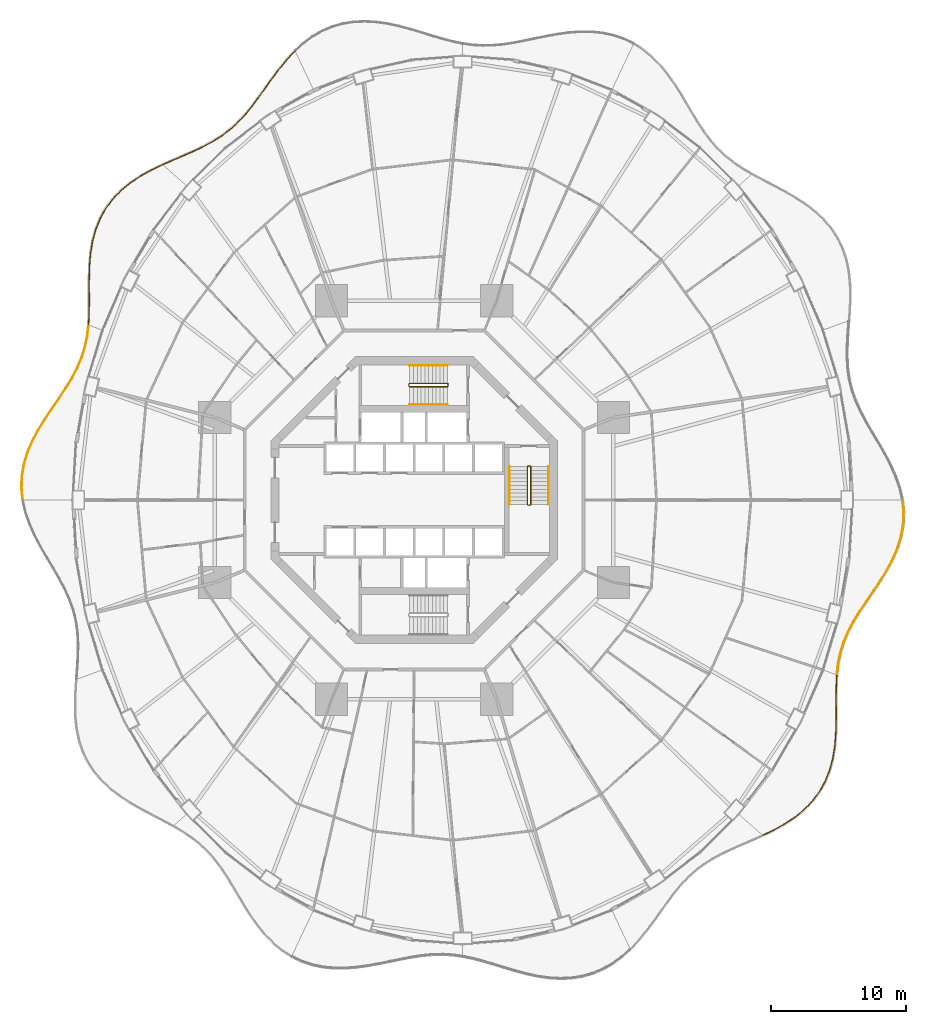
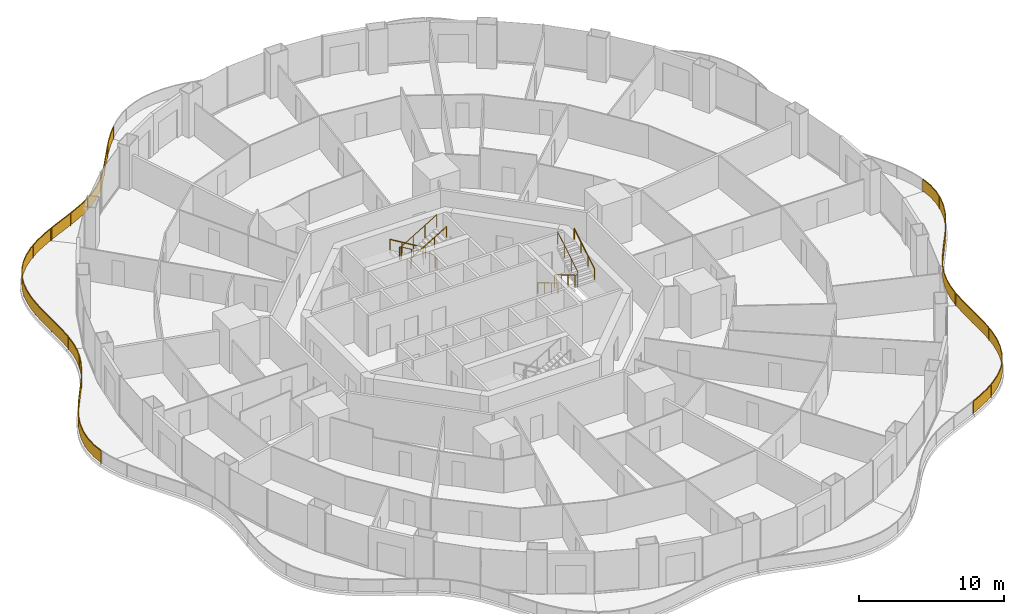
# One storey, part 22 of 23: 11 railings.
"""IFC4 building model written with IfcOpenShell, lengths in metres."""

from ifc_helpers import new_model, si_unit, direction, frame, origin, origin_2d, place, context, subcontext, project, spatial, polyline, rectangle, circle, outline, extrude, material, type_object, element, save


model = new_model("IFC4")

# Units and contexts
model_context = context("Model", 3, precision=1e-05, world=origin(), true_north=direction((0.0, 1.0)))
body_context = subcontext(model_context, "Body", "Model", "MODEL_VIEW")
ifc_project = project(units=[si_unit("LENGTHUNIT", "METRE"), si_unit("AREAUNIT", "SQUARE_METRE"), si_unit("VOLUMEUNIT", "CUBIC_METRE"), si_unit("PLANEANGLEUNIT", "RADIAN"), si_unit("MASSUNIT", "GRAM", prefix="KILO")], contexts=[model_context])

# Site, building, storey
site_placement = place(None, origin())
site = spatial("IfcSite", under=ifc_project, at=site_placement, CompositionType="ELEMENT")
building_placement = place(site_placement, origin())
building = spatial("IfcBuilding", under=site, at=building_placement, Name="Nagisa Residences", CompositionType="ELEMENT")
storey_placement = place(building_placement, frame((0.0, 0.0, 56.60009765625)))
storey = spatial("IfcBuildingStorey", under=building, at=storey_placement, Name="L13", CompositionType="ELEMENT", Elevation=56.60009765625)

# Railings
ifc_material_1 = material(Name="Stainless steel 316", Category="steel")
railing_type_1 = type_object("IfcRailingType", Name="BALCONY GUARD 1100", PredefinedType="BALUSTRADE", material=ifc_material_1)
railing_1_placement = place(storey_placement, frame((-8.8525390625, 33.278076171875, 0.0)))
element("IfcRailing", 1, at=railing_1_placement, inside=storey, type_object=railing_type_1, Name="guard:L13:bal05-0", PredefinedType="BALUSTRADE", context=body_context, shape_type="SweptSolid", body=[
    extrude(outline(polyline([(-0.55419921875, -0.62841796875), (0.018310546875, -0.01708984375), (-0.018310546875, 0.01708984375), (-0.591796875, -0.59521484375), (-1.158203125, -1.281494140625), (-1.6904296875, -1.988525390625), (-2.197998046875, -2.69775390625), (-2.693603515625, -3.3916015625), (-3.175048828125, -4.04541015625), (-3.6826171875, -4.66650390625), (-4.214111328125, -5.237548828125), (-4.779052734375, -5.75537109375), (-5.384521484375, -6.221435546875), (-6.0224609375, -6.629638671875), (-6.71728515625, -7.009521484375), (-7.452880859375, -7.3623046875), (-8.22216796875, -7.70068359375), (-9.013916015625, -8.03955078125), (-9.77294921875, -8.372314453125), (-9.7529296875, -8.418212890625), (-8.993896484375, -8.08544921875), (-8.2021484375, -7.74658203125), (-7.431884765625, -7.40771484375), (-6.6943359375, -7.053955078125), (-5.9970703125, -6.672607421875), (-5.355712890625, -6.262451171875), (-4.746826171875, -5.7939453125), (-4.178955078125, -5.273193359375), (-3.64501953125, -4.69921875), (-3.135498046875, -4.076171875), (-2.653076171875, -3.4208984375), (-2.157470703125, -2.72705078125), (-1.64990234375, -2.018310546875), (-1.11865234375, -1.312255859375), (-0.55419921875, -0.62841796875)])), frame((0.0, 0.0, 1.050048828125)), (0.0, 0.0, 1.0), 0.050048828125),
    extrude(outline(polyline([(-0.567626953125, -0.616455078125), (0.005126953125, -0.0048828125), (-0.005126953125, 0.0048828125), (-0.578369140625, -0.607177734375), (-1.14404296875, -1.29248046875), (-1.67578125, -1.999267578125), (-2.183349609375, -2.708251953125), (-2.678955078125, -3.402099609375), (-3.160888671875, -4.056396484375), (-3.669189453125, -4.67822265625), (-4.201416015625, -5.25048828125), (-4.767333984375, -5.769287109375), (-5.3740234375, -6.236328125), (-6.013427734375, -6.64501953125), (-6.708984375, -7.025390625), (-7.4453125, -7.378662109375), (-8.21484375, -7.71728515625), (-9.006591796875, -8.05615234375), (-9.765869140625, -8.388916015625), (-9.760009765625, -8.401611328125), (-9.001220703125, -8.06884765625), (-8.20947265625, -7.72998046875), (-7.439453125, -7.391357421875), (-6.70263671875, -7.0380859375), (-6.006103515625, -6.6572265625), (-5.3662109375, -6.24755859375), (-4.758544921875, -5.780029296875), (-4.191650390625, -5.26025390625), (-3.658447265625, -4.6875), (-3.149658203125, -4.065185546875), (-2.667724609375, -3.410400390625), (-2.172119140625, -2.716552734375), (-1.66455078125, -2.007568359375), (-1.1328125, -1.30126953125), (-0.567626953125, -0.616455078125)])), frame((0.0, 0.0, 0.06005859375)), (0.0, 0.0, 1.0), 0.989990234375),
    extrude(rectangle(XDim=0.0400390625, YDim=0.0400390625, at=origin_2d()), origin(), (0.0, 0.0, 1.0), 1.050048828125),
    extrude(rectangle(XDim=0.0400390625, YDim=0.0400390625, at=origin_2d()), frame((-1.419921875, -1.671142578125, 0.0)), (0.0, 0.0, 1.0), 1.050048828125),
    extrude(rectangle(XDim=0.0400390625, YDim=0.0400390625, at=origin_2d()), frame((-2.70556640625, -3.449951171875, 0.0)), (0.0, 0.0, 1.0), 1.050048828125),
    extrude(rectangle(XDim=0.0400390625, YDim=0.0400390625, at=origin_2d()), frame((-4.0947265625, -5.14599609375, 0.0)), (0.0, 0.0, 1.0), 1.050048828125),
    extrude(rectangle(XDim=0.0400390625, YDim=0.0400390625, at=origin_2d()), frame((-5.800537109375, -6.517333984375, 0.0)), (0.0, 0.0, 1.0), 1.050048828125),
    extrude(rectangle(XDim=0.0400390625, YDim=0.0400390625, at=origin_2d()), frame((-7.75, -7.520263671875, 0.0)), (0.0, 0.0, 1.0), 1.050048828125),
    extrude(rectangle(XDim=0.0400390625, YDim=0.0400390625, at=origin_2d()), frame((-9.762939453125, -8.395263671875, 0.0)), (0.0, 0.0, 1.0), 1.050048828125),
])
railing_2_placement = place(storey_placement, frame((-18.685791015625, 24.851806640625, 0.0)))
element("IfcRailing", 2, at=railing_2_placement, inside=storey, type_object=railing_type_1, Name="guard:L13:bal06-0", PredefinedType="BALUSTRADE", context=body_context, shape_type="SweptSolid", body=[
    extrude(outline(polyline([(-0.779541015625, -0.401611328125), (0.0107421875, -0.0224609375), (-0.0107421875, 0.0224609375), (-0.802490234375, -0.357177734375), (-1.607421875, -0.804443359375), (-2.36572265625, -1.308349609375), (-3.0595703125, -1.875732421875), (-3.674072265625, -2.51025390625), (-4.18994140625, -3.19970703125), (-4.61669921875, -3.96337890625), (-4.945068359375, -4.781005859375), (-5.18017578125, -5.642578125), (-5.331298828125, -6.535888671875), (-5.40673828125, -7.434814453125), (-5.438232421875, -8.3525390625), (-5.440185546875, -9.264892578125), (-5.434814453125, -10.16162109375), (-5.44384765625, -11.03515625), (-5.484619140625, -11.838623046875), (-5.434814453125, -11.841064453125), (-5.39404296875, -11.03662109375), (-5.384521484375, -10.16162109375), (-5.389892578125, -9.264892578125), (-5.388427734375, -8.353515625), (-5.35693359375, -7.437744140625), (-5.281494140625, -6.542236328125), (-5.13134765625, -5.6533203125), (-4.897705078125, -4.797119140625), (-4.5712890625, -3.98486328125), (-4.14794921875, -3.22705078125), (-3.635986328125, -2.54296875), (-3.02587890625, -1.912841796875), (-2.3359375, -1.348876953125), (-1.58154296875, -0.847412109375), (-0.779541015625, -0.401611328125)])), frame((0.0, 0.0, 1.050048828125)), (0.0, 0.0, 1.0), 0.050048828125),
    extrude(outline(polyline([(-0.787841796875, -0.385498046875), (0.0029296875, -0.00634765625), (-0.0029296875, 0.00634765625), (-0.794189453125, -0.373291015625), (-1.59814453125, -0.81982421875), (-2.35498046875, -1.322998046875), (-3.04736328125, -1.88916015625), (-3.660400390625, -2.52197265625), (-4.1748046875, -3.20947265625), (-4.600341796875, -3.97119140625), (-4.927978515625, -4.786865234375), (-5.16259765625, -5.646484375), (-5.313232421875, -6.5380859375), (-5.388916015625, -7.435791015625), (-5.42041015625, -8.352783203125), (-5.422119140625, -9.264892578125), (-5.416748046875, -10.16162109375), (-5.426025390625, -11.03564453125), (-5.466796875, -11.839599609375), (-5.45263671875, -11.840087890625), (-5.411865234375, -11.0361328125), (-5.402587890625, -10.16162109375), (-5.407958984375, -9.264892578125), (-5.40625, -8.353271484375), (-5.374755859375, -7.436767578125), (-5.299560546875, -6.5400390625), (-5.14892578125, -5.6494140625), (-4.914794921875, -4.791259765625), (-4.587646484375, -3.97705078125), (-4.1630859375, -3.21728515625), (-3.649658203125, -2.53125), (-3.0380859375, -1.8994140625), (-2.3466796875, -1.334228515625), (-1.5908203125, -0.83203125), (-0.787841796875, -0.385498046875)])), frame((0.0, 0.0, 0.06005859375)), (0.0, 0.0, 1.0), 0.989990234375),
    extrude(rectangle(XDim=0.0400390625, YDim=0.0400390625, at=origin_2d()), origin(), (0.0, 0.0, 1.0), 1.050048828125),
    extrude(rectangle(XDim=0.0400390625, YDim=0.0400390625, at=origin_2d()), frame((-2.0673828125, -1.14013671875, 0.0)), (0.0, 0.0, 1.0), 1.050048828125),
    extrude(rectangle(XDim=0.0400390625, YDim=0.0400390625, at=origin_2d()), frame((-3.8046875, -2.726806640625, 0.0)), (0.0, 0.0, 1.0), 1.050048828125),
    extrude(rectangle(XDim=0.0400390625, YDim=0.0400390625, at=origin_2d()), frame((-4.923095703125, -4.795654296875, 0.0)), (0.0, 0.0, 1.0), 1.050048828125),
    extrude(rectangle(XDim=0.0400390625, YDim=0.0400390625, at=origin_2d()), frame((-5.354736328125, -7.114013671875, 0.0)), (0.0, 0.0, 1.0), 1.050048828125),
    extrude(rectangle(XDim=0.0400390625, YDim=0.0400390625, at=origin_2d()), frame((-5.413818359375, -9.4765625, 0.0)), (0.0, 0.0, 1.0), 1.050048828125),
    extrude(rectangle(XDim=0.0400390625, YDim=0.0400390625, at=origin_2d()), frame((-5.459716796875, -11.83984375, 0.0)), (0.0, 0.0, 1.0), 1.050048828125),
])
railing_3_placement = place(storey_placement, frame((-24.149658203125, 12.93994140625, 0.0)))
element("IfcRailing", 3, at=railing_3_placement, inside=storey, type_object=railing_type_1, Name="guard:L13:bal07-0", PredefinedType="BALUSTRADE", context=body_context, shape_type="SweptSolid", body=[
    extrude(outline(polyline([(-0.06982421875, -0.8046875), (0.02490234375, -0.0029296875), (-0.02490234375, 0.0029296875), (-0.119140625, -0.796875), (-0.2880859375, -1.607421875), (-0.53369140625, -2.39208984375), (-0.85791015625, -3.15673828125), (-1.2548828125, -3.9091796875), (-1.7099609375, -4.64453125), (-2.21240234375, -5.3984375), (-2.73681640625, -6.1640625), (-3.2578125, -6.947509765625), (-3.749755859375, -7.752685546875), (-4.184814453125, -8.567138671875), (-4.54345703125, -9.417236328125), (-4.80419921875, -10.28662109375), (-4.95361328125, -11.169677734375), (-4.984619140625, -12.06005859375), (-4.89990234375, -12.90380859375), (-4.85009765625, -12.89892578125), (-4.934326171875, -12.05859375), (-4.90380859375, -11.174560546875), (-4.75537109375, -10.2978515625), (-4.49609375, -9.434326171875), (-4.139404296875, -8.588623046875), (-3.706298828125, -7.777587890625), (-3.2158203125, -6.974365234375), (-2.6953125, -6.19189453125), (-2.1708984375, -5.42626953125), (-1.66796875, -4.67138671875), (-1.21142578125, -3.93408203125), (-0.8125, -3.17822265625), (-0.48681640625, -2.4091796875), (-0.23974609375, -1.6201171875), (-0.06982421875, -0.8046875)])), frame((0.0, 0.0, 1.050048828125)), (0.0, 0.0, 1.0), 0.050048828125),
    extrude(outline(polyline([(-0.087646484375, -0.802001953125), (0.0068359375, -0.000732421875), (-0.0068359375, 0.000732421875), (-0.101318359375, -0.799560546875), (-0.270751953125, -1.612060546875), (-0.516845703125, -2.398193359375), (-0.841552734375, -3.16455078125), (-1.2392578125, -3.918212890625), (-1.69482421875, -4.654296875), (-2.197509765625, -5.408447265625), (-2.721923828125, -6.174072265625), (-3.24267578125, -6.957275390625), (-3.734130859375, -7.76171875), (-4.16845703125, -8.574951171875), (-4.5263671875, -9.42333984375), (-4.78662109375, -10.29052734375), (-4.935791015625, -11.17138671875), (-4.966552734375, -12.0595703125), (-4.882080078125, -12.902099609375), (-4.867919921875, -12.900634765625), (-4.952392578125, -12.05908203125), (-4.921630859375, -11.1728515625), (-4.77294921875, -10.2939453125), (-4.51318359375, -9.42822265625), (-4.15576171875, -8.580810546875), (-3.721923828125, -7.7685546875), (-3.23095703125, -6.964599609375), (-2.710205078125, -6.181884765625), (-2.185791015625, -5.416259765625), (-1.68310546875, -4.66162109375), (-1.22705078125, -3.925048828125), (-0.828857421875, -3.17041015625), (-0.503662109375, -2.403076171875), (-0.257080078125, -1.615478515625), (-0.087646484375, -0.802001953125)])), frame((0.0, 0.0, 0.06005859375)), (0.0, 0.0, 1.0), 0.989990234375),
    extrude(rectangle(XDim=0.0400390625, YDim=0.0400390625, at=origin_2d()), origin(), (0.0, 0.0, 1.0), 1.050048828125),
    extrude(rectangle(XDim=0.0400390625, YDim=0.0400390625, at=origin_2d()), frame((-0.47705078125, -2.294921875, 0.0)), (0.0, 0.0, 1.0), 1.050048828125),
    extrude(rectangle(XDim=0.0400390625, YDim=0.0400390625, at=origin_2d()), frame((-1.524658203125, -4.392822265625, 0.0)), (0.0, 0.0, 1.0), 1.050048828125),
    extrude(rectangle(XDim=0.0400390625, YDim=0.0400390625, at=origin_2d()), frame((-2.8291015625, -6.347900390625, 0.0)), (0.0, 0.0, 1.0), 1.050048828125),
    extrude(rectangle(XDim=0.0400390625, YDim=0.0400390625, at=origin_2d()), frame((-4.04443359375, -8.357666015625, 0.0)), (0.0, 0.0, 1.0), 1.050048828125),
    extrude(rectangle(XDim=0.0400390625, YDim=0.0400390625, at=origin_2d()), frame((-4.825927734375, -10.564208984375, 0.0)), (0.0, 0.0, 1.0), 1.050048828125),
    extrude(rectangle(XDim=0.0400390625, YDim=0.0400390625, at=origin_2d()), frame((-4.875, -12.9013671875, 0.0)), (0.0, 0.0, 1.0), 1.050048828125),
])
railing_4_placement = place(storey_placement, frame((25.8857421875, -24.851806640625, 0.0)))
element("IfcRailing", 4, at=railing_4_placement, inside=storey, type_object=railing_type_1, Name="guard:L13:bal14-0", PredefinedType="BALUSTRADE", context=body_context, shape_type="SweptSolid", body=[
    extrude(outline(polyline([(0.77978515625, 0.401611328125), (-0.0107421875, 0.0224609375), (0.0107421875, -0.0224609375), (0.802734375, 0.357177734375), (1.607421875, 0.804443359375), (2.36572265625, 1.308349609375), (3.059814453125, 1.875732421875), (3.674072265625, 2.51025390625), (4.18994140625, 3.19970703125), (4.61669921875, 3.96337890625), (4.9453125, 4.781005859375), (5.18017578125, 5.642578125), (5.33154296875, 6.535888671875), (5.40673828125, 7.434814453125), (5.438232421875, 8.3525390625), (5.4404296875, 9.264892578125), (5.43505859375, 10.16162109375), (5.44384765625, 11.03515625), (5.48486328125, 11.838623046875), (5.43505859375, 11.841064453125), (5.39404296875, 11.03662109375), (5.384765625, 10.16162109375), (5.39013671875, 9.264892578125), (5.388427734375, 8.353515625), (5.35693359375, 7.437744140625), (5.28173828125, 6.542236328125), (5.13134765625, 5.6533203125), (4.89794921875, 4.797119140625), (4.5712890625, 3.98486328125), (4.14794921875, 3.22705078125), (3.635986328125, 2.54296875), (3.026123046875, 1.912841796875), (2.3359375, 1.348876953125), (1.58154296875, 0.847412109375), (0.77978515625, 0.401611328125)])), frame((0.0, 0.0, 1.050048828125)), (0.0, 0.0, 1.0), 0.050048828125),
    extrude(outline(polyline([(0.7880859375, 0.385498046875), (-0.0029296875, 0.00634765625), (0.0029296875, -0.00634765625), (0.79443359375, 0.373291015625), (1.59814453125, 0.81982421875), (2.35498046875, 1.322998046875), (3.047607421875, 1.88916015625), (3.660400390625, 2.52197265625), (4.1748046875, 3.20947265625), (4.600341796875, 3.97119140625), (4.92822265625, 4.786865234375), (5.16259765625, 5.646484375), (5.3134765625, 6.5380859375), (5.388916015625, 7.435791015625), (5.42041015625, 8.352783203125), (5.42236328125, 9.264892578125), (5.4169921875, 10.16162109375), (5.426025390625, 11.03564453125), (5.467041015625, 11.839599609375), (5.452880859375, 11.840087890625), (5.411865234375, 11.0361328125), (5.40283203125, 10.16162109375), (5.408203125, 9.264892578125), (5.40625, 8.353271484375), (5.374755859375, 7.436767578125), (5.2998046875, 6.5400390625), (5.14892578125, 5.6494140625), (4.9150390625, 4.791259765625), (4.587646484375, 3.97705078125), (4.1630859375, 3.21728515625), (3.649658203125, 2.53125), (3.038330078125, 1.8994140625), (2.3466796875, 1.334228515625), (1.5908203125, 0.83203125), (0.7880859375, 0.385498046875)])), frame((0.0, 0.0, 0.06005859375)), (0.0, 0.0, 1.0), 0.989990234375),
    extrude(rectangle(XDim=0.0400390625, YDim=0.0400390625, at=origin_2d()), origin(), (0.0, 0.0, 1.0), 1.050048828125),
    extrude(rectangle(XDim=0.0400390625, YDim=0.0400390625, at=origin_2d()), frame((2.0673828125, 1.14013671875, 0.0)), (0.0, 0.0, 1.0), 1.050048828125),
    extrude(rectangle(XDim=0.0400390625, YDim=0.0400390625, at=origin_2d()), frame((3.8046875, 2.726806640625, 0.0)), (0.0, 0.0, 1.0), 1.050048828125),
    extrude(rectangle(XDim=0.0400390625, YDim=0.0400390625, at=origin_2d()), frame((4.92333984375, 4.795654296875, 0.0)), (0.0, 0.0, 1.0), 1.050048828125),
    extrude(rectangle(XDim=0.0400390625, YDim=0.0400390625, at=origin_2d()), frame((5.354736328125, 7.114013671875, 0.0)), (0.0, 0.0, 1.0), 1.050048828125),
    extrude(rectangle(XDim=0.0400390625, YDim=0.0400390625, at=origin_2d()), frame((5.4140625, 9.4765625, 0.0)), (0.0, 0.0, 1.0), 1.050048828125),
    extrude(rectangle(XDim=0.0400390625, YDim=0.0400390625, at=origin_2d()), frame((5.4599609375, 11.83984375, 0.0)), (0.0, 0.0, 1.0), 1.050048828125),
])
railing_5_placement = place(storey_placement, frame((31.349609375, -12.93994140625, 0.0)))
element("IfcRailing", 5, at=railing_5_placement, inside=storey, type_object=railing_type_1, Name="guard:L13:bal15-0", PredefinedType="BALUSTRADE", context=body_context, shape_type="SweptSolid", body=[
    extrude(outline(polyline([(0.06982421875, 0.8046875), (-0.02490234375, 0.0029296875), (0.02490234375, -0.0029296875), (0.119140625, 0.796875), (0.2880859375, 1.607421875), (0.53369140625, 2.39208984375), (0.85791015625, 3.15673828125), (1.2548828125, 3.9091796875), (1.710205078125, 4.64453125), (2.212646484375, 5.3984375), (2.73681640625, 6.1640625), (3.2578125, 6.947509765625), (3.749755859375, 7.752685546875), (4.18505859375, 8.567138671875), (4.54345703125, 9.417236328125), (4.80419921875, 10.28662109375), (4.953857421875, 11.169677734375), (4.984619140625, 12.06005859375), (4.900146484375, 12.90380859375), (4.850341796875, 12.89892578125), (4.934326171875, 12.05859375), (4.904052734375, 11.174560546875), (4.75537109375, 10.2978515625), (4.49609375, 9.434326171875), (4.1396484375, 8.588623046875), (3.706298828125, 7.777587890625), (3.2158203125, 6.974365234375), (2.6953125, 6.19189453125), (2.171142578125, 5.42626953125), (1.668212890625, 4.67138671875), (1.21142578125, 3.93408203125), (0.8125, 3.17822265625), (0.48681640625, 2.4091796875), (0.23974609375, 1.6201171875), (0.06982421875, 0.8046875)])), frame((0.0, 0.0, 1.050048828125)), (0.0, 0.0, 1.0), 0.050048828125),
    extrude(outline(polyline([(0.087646484375, 0.802001953125), (-0.0068359375, 0.000732421875), (0.0068359375, -0.000732421875), (0.101318359375, 0.799560546875), (0.270751953125, 1.612060546875), (0.516845703125, 2.398193359375), (0.841552734375, 3.16455078125), (1.2392578125, 3.918212890625), (1.695068359375, 4.654052734375), (2.19775390625, 5.408447265625), (2.721923828125, 6.174072265625), (3.24267578125, 6.957275390625), (3.734130859375, 7.76171875), (4.168701171875, 8.574951171875), (4.5263671875, 9.42333984375), (4.78662109375, 10.29052734375), (4.93603515625, 11.17138671875), (4.966552734375, 12.0595703125), (4.88232421875, 12.902099609375), (4.8681640625, 12.900634765625), (4.952392578125, 12.05908203125), (4.921875, 11.1728515625), (4.77294921875, 10.2939453125), (4.51318359375, 9.42822265625), (4.156005859375, 8.580810546875), (3.721923828125, 7.7685546875), (3.23095703125, 6.964599609375), (2.710205078125, 6.181884765625), (2.18603515625, 5.416259765625), (1.683349609375, 4.661865234375), (1.22705078125, 3.925048828125), (0.828857421875, 3.17041015625), (0.503662109375, 2.403076171875), (0.257080078125, 1.615478515625), (0.087646484375, 0.802001953125)])), frame((0.0, 0.0, 0.06005859375)), (0.0, 0.0, 1.0), 0.989990234375),
    extrude(rectangle(XDim=0.0400390625, YDim=0.0400390625, at=origin_2d()), origin(), (0.0, 0.0, 1.0), 1.050048828125),
    extrude(rectangle(XDim=0.0400390625, YDim=0.0400390625, at=origin_2d()), frame((0.47705078125, 2.294921875, 0.0)), (0.0, 0.0, 1.0), 1.050048828125),
    extrude(rectangle(XDim=0.0400390625, YDim=0.0400390625, at=origin_2d()), frame((1.52490234375, 4.392578125, 0.0)), (0.0, 0.0, 1.0), 1.050048828125),
    extrude(rectangle(XDim=0.0400390625, YDim=0.0400390625, at=origin_2d()), frame((2.8291015625, 6.347900390625, 0.0)), (0.0, 0.0, 1.0), 1.050048828125),
    extrude(rectangle(XDim=0.0400390625, YDim=0.0400390625, at=origin_2d()), frame((4.044677734375, 8.357666015625, 0.0)), (0.0, 0.0, 1.0), 1.050048828125),
    extrude(rectangle(XDim=0.0400390625, YDim=0.0400390625, at=origin_2d()), frame((4.825927734375, 10.564208984375, 0.0)), (0.0, 0.0, 1.0), 1.050048828125),
    extrude(rectangle(XDim=0.0400390625, YDim=0.0400390625, at=origin_2d()), frame((4.875244140625, 12.9013671875, 0.0)), (0.0, 0.0, 1.0), 1.050048828125),
])
ifc_material_2 = material(Name="Stainless steel", Category="steel")
railing_type_2 = type_object("IfcRailingType", Name="Stair guard 1100", PredefinedType="GUARDRAIL", material=ifc_material_2)
railing_6_placement = place(storey_placement, frame((8.599609375, 2.52490234375, 0.0)))
element("IfcRailing", 6, at=railing_6_placement, inside=storey, type_object=railing_type_2, Name="L13 ST-E stair guard 1", PredefinedType="GUARDRAIL", context=body_context, shape_type="SweptSolid", body=[
    extrude(circle(Radius=0.02392578125, at=origin_2d()), frame((0.0, 0.0, 1.076171875), z_axis=(-1.0, 0.0, 0.0), x_axis=(0.0, -1.0, 0.0)), (0.0, 0.0, 1.0), 0.14990234375),
    extrude(circle(Radius=0.02392578125, at=origin_2d()), frame((-0.14990234375, 0.0, 1.076171875), z_axis=(-0.274683208305, -0.273343290215, 0.921863645432), x_axis=(0.705375805398, -0.708833529934, 0.0)), (0.0, 0.0, 1.0), 0.18212890625),
    extrude(circle(Radius=0.02392578125, at=origin_2d()), frame((-0.199951171875, -0.0498046875, 1.244140625), z_axis=(0.0, -0.857242210791, 0.514913383045), x_axis=(1.0, 0.0, 0.0)), (0.0, 0.0, 1.0), 3.266357421875),
    extrude(circle(Radius=0.02392578125, at=origin_2d()), frame((-0.199951171875, -2.849853515625, 2.92578125), z_axis=(0.707106781187, -0.707106781187, 0.0), x_axis=(0.707106781187, 0.707106781187, 0.0)), (0.0, 0.0, 1.0), 0.07080078125),
    extrude(circle(Radius=0.02392578125, at=origin_2d()), frame((-0.14990234375, -2.89990234375, 2.92578125), z_axis=(1.0, 0.0, 0.0), x_axis=(0.0, 1.0, 0.0)), (0.0, 0.0, 1.0), 0.14990234375),
    extrude(circle(Radius=0.02392578125, at=origin_2d()), frame((0.0, -2.89990234375, 2.92578125), z_axis=(0.274243871929, 0.274243871929, 0.92172696468), x_axis=(-0.707106781187, 0.707106781187, 0.0)), (0.0, 0.0, 1.0), 0.1826171875),
    extrude(circle(Radius=0.02392578125, at=origin_2d()), frame((0.050048828125, -2.849853515625, 3.09423828125), z_axis=(0.0, 0.857242210791, 0.514913383045), x_axis=(-1.0, 0.0, 0.0)), (0.0, 0.0, 1.0), 3.266357421875),
    extrude(circle(Radius=0.02099609375, at=origin_2d()), origin(), (0.0, 0.0, 1.0), 1.052001953125),
    extrude(circle(Radius=0.02099609375, at=origin_2d()), frame((-0.14990234375, 0.0, 0.0)), (0.0, 0.0, 1.0), 1.052001953125),
    extrude(circle(Radius=0.02099609375, at=origin_2d()), frame((-0.199951171875, -0.0498046875, 0.16796875)), (0.0, 0.0, 1.0), 1.052001953125),
    extrude(circle(Radius=0.02099609375, at=origin_2d()), frame((-0.199951171875, -0.983154296875, 0.728515625)), (0.0, 0.0, 1.0), 1.052001953125),
    extrude(circle(Radius=0.02099609375, at=origin_2d()), frame((-0.199951171875, -1.91650390625, 1.289306640625)), (0.0, 0.0, 1.0), 1.052001953125),
    extrude(circle(Radius=0.02099609375, at=origin_2d()), frame((-0.199951171875, -2.849853515625, 1.849853515625)), (0.0, 0.0, 1.0), 1.052001953125),
    extrude(circle(Radius=0.02099609375, at=origin_2d()), frame((-0.14990234375, -2.89990234375, 1.849853515625)), (0.0, 0.0, 1.0), 1.052001953125),
    extrude(circle(Radius=0.02099609375, at=origin_2d()), frame((0.0, -2.89990234375, 1.849853515625)), (0.0, 0.0, 1.0), 1.052001953125),
    extrude(circle(Radius=0.02099609375, at=origin_2d()), frame((0.050048828125, -2.849853515625, 2.01806640625)), (0.0, 0.0, 1.0), 1.052001953125),
    extrude(circle(Radius=0.02099609375, at=origin_2d()), frame((0.050048828125, -1.91650390625, 2.57861328125)), (0.0, 0.0, 1.0), 1.052001953125),
    extrude(circle(Radius=0.02099609375, at=origin_2d()), frame((0.050048828125, -0.983154296875, 3.139404296875)), (0.0, 0.0, 1.0), 1.052001953125),
    extrude(circle(Radius=0.02099609375, at=origin_2d()), frame((0.050048828125, -0.0498046875, 3.699951171875)), (0.0, 0.0, 1.0), 1.052001953125),
])
railing_7_placement = place(storey_placement, frame((2.52490234375, 8.44970703125, 0.0)))
element("IfcRailing", 7, at=railing_7_placement, inside=storey, type_object=railing_type_2, Name="L13 ST-N stair guard 1", PredefinedType="GUARDRAIL", context=body_context, shape_type="SweptSolid", body=[
    extrude(circle(Radius=0.02392578125, at=origin_2d()), frame((0.0, 0.0, 1.076171875), z_axis=(0.0, 1.0, 0.0), x_axis=(-1.0, 0.0, 0.0)), (0.0, 0.0, 1.0), 0.14990234375),
    extrude(circle(Radius=0.02392578125, at=origin_2d()), frame((0.0, 0.14990234375, 1.076171875), z_axis=(-0.273343290215, 0.274683208305, 0.921863645432), x_axis=(-0.708833529934, -0.705375805398, 0.0)), (0.0, 0.0, 1.0), 0.18212890625),
    extrude(circle(Radius=0.02392578125, at=origin_2d()), frame((-0.0498046875, 0.199951171875, 1.244140625), z_axis=(-0.857242210791, 0.0, 0.514913383045), x_axis=(0.0, -1.0, 0.0)), (0.0, 0.0, 1.0), 3.266357421875),
    extrude(circle(Radius=0.02392578125, at=origin_2d()), frame((-2.849853515625, 0.199951171875, 2.92578125), z_axis=(-0.707106781187, -0.707106781187, 0.0), x_axis=(0.707106781187, -0.707106781187, 0.0)), (0.0, 0.0, 1.0), 0.07080078125),
    extrude(circle(Radius=0.02392578125, at=origin_2d()), frame((-2.89990234375, 0.14990234375, 2.92578125), z_axis=(0.0, -1.0, 0.0), x_axis=(1.0, 0.0, 0.0)), (0.0, 0.0, 1.0), 0.14990234375),
    extrude(circle(Radius=0.02392578125, at=origin_2d()), frame((-2.89990234375, 0.0, 2.92578125), z_axis=(0.274243871929, -0.274243871929, 0.92172696468), x_axis=(0.707106781187, 0.707106781187, 0.0)), (0.0, 0.0, 1.0), 0.1826171875),
    extrude(circle(Radius=0.02392578125, at=origin_2d()), frame((-2.849853515625, -0.050048828125, 3.09423828125), z_axis=(0.857242210791, 0.0, 0.514913383045), x_axis=(0.0, 1.0, 0.0)), (0.0, 0.0, 1.0), 3.266357421875),
    extrude(circle(Radius=0.02099609375, at=origin_2d()), origin(), (0.0, 0.0, 1.0), 1.052001953125),
    extrude(circle(Radius=0.02099609375, at=origin_2d()), frame((0.0, 0.14990234375, 0.0)), (0.0, 0.0, 1.0), 1.052001953125),
    extrude(circle(Radius=0.02099609375, at=origin_2d()), frame((-0.0498046875, 0.199951171875, 0.16796875)), (0.0, 0.0, 1.0), 1.052001953125),
    extrude(circle(Radius=0.02099609375, at=origin_2d()), frame((-0.983154296875, 0.199951171875, 0.728515625)), (0.0, 0.0, 1.0), 1.052001953125),
    extrude(circle(Radius=0.02099609375, at=origin_2d()), frame((-1.91650390625, 0.199951171875, 1.289306640625)), (0.0, 0.0, 1.0), 1.052001953125),
    extrude(circle(Radius=0.02099609375, at=origin_2d()), frame((-2.849853515625, 0.199951171875, 1.849853515625)), (0.0, 0.0, 1.0), 1.052001953125),
    extrude(circle(Radius=0.02099609375, at=origin_2d()), frame((-2.89990234375, 0.14990234375, 1.849853515625)), (0.0, 0.0, 1.0), 1.052001953125),
    extrude(circle(Radius=0.02099609375, at=origin_2d()), frame((-2.89990234375, 0.0, 1.849853515625)), (0.0, 0.0, 1.0), 1.052001953125),
    extrude(circle(Radius=0.02099609375, at=origin_2d()), frame((-2.849853515625, -0.050048828125, 2.01806640625)), (0.0, 0.0, 1.0), 1.052001953125),
    extrude(circle(Radius=0.02099609375, at=origin_2d()), frame((-1.91650390625, -0.050048828125, 2.57861328125)), (0.0, 0.0, 1.0), 1.052001953125),
    extrude(circle(Radius=0.02099609375, at=origin_2d()), frame((-0.983154296875, -0.050048828125, 3.139404296875)), (0.0, 0.0, 1.0), 1.052001953125),
    extrude(circle(Radius=0.02099609375, at=origin_2d()), frame((-0.0498046875, -0.050048828125, 3.699951171875)), (0.0, 0.0, 1.0), 1.052001953125),
])
ifc_material_3 = material(Name="Stainless steel", Category="steel")
railing_type_3 = type_object("IfcRailingType", Name="Stair handrail 900", PredefinedType="HANDRAIL", material=ifc_material_3)
railing_8_placement = place(storey_placement, frame((7.07470703125, 2.47509765625, 0.16796875)))
element("IfcRailing", 8, at=railing_8_placement, inside=storey, type_object=railing_type_3, Name="L13 ST-E stair handrail 1", PredefinedType="HANDRAIL", context=body_context, shape_type="SweptSolid", body=[
    extrude(circle(Radius=0.02392578125, at=origin_2d()), frame((0.0, 0.0, 0.8759765625), z_axis=(0.0, -0.857242210791, 0.514913383045), x_axis=(1.0, 0.0, 0.0)), (0.0, 0.0, 1.0), 3.266357421875),
    extrude(circle(Radius=0.02099609375, at=origin_2d()), origin(), (0.0, 0.0, 1.0), 0.851806640625),
    extrude(circle(Radius=0.02099609375, at=origin_2d()), frame((0.0, -0.933349609375, 0.560546875)), (0.0, 0.0, 1.0), 0.851806640625),
    extrude(circle(Radius=0.02099609375, at=origin_2d()), frame((0.0, -1.86669921875, 1.121337890625)), (0.0, 0.0, 1.0), 0.851806640625),
    extrude(circle(Radius=0.02099609375, at=origin_2d()), frame((0.0, -2.800048828125, 1.681884765625)), (0.0, 0.0, 1.0), 0.851806640625),
])
railing_9_placement = place(storey_placement, frame((9.974609375, -0.324951171875, 2.01806640625)))
element("IfcRailing", 9, at=railing_9_placement, inside=storey, type_object=railing_type_3, Name="L13 ST-E stair handrail 2", PredefinedType="HANDRAIL", context=body_context, shape_type="SweptSolid", body=[
    extrude(circle(Radius=0.02392578125, at=origin_2d()), frame((0.0, 0.0, 0.8759765625), z_axis=(0.0, 0.857242210791, 0.514913383045), x_axis=(-1.0, 0.0, 0.0)), (0.0, 0.0, 1.0), 3.266357421875),
    extrude(circle(Radius=0.02099609375, at=origin_2d()), origin(), (0.0, 0.0, 1.0), 0.851806640625),
    extrude(circle(Radius=0.02099609375, at=origin_2d()), frame((0.0, 0.933349609375, 0.560546875)), (0.0, 0.0, 1.0), 0.851806640625),
    extrude(circle(Radius=0.02099609375, at=origin_2d()), frame((0.0, 1.86669921875, 1.121337890625)), (0.0, 0.0, 1.0), 0.851806640625),
    extrude(circle(Radius=0.02099609375, at=origin_2d()), frame((0.0, 2.800048828125, 1.681884765625)), (0.0, 0.0, 1.0), 0.851806640625),
])
railing_10_placement = place(storey_placement, frame((2.47509765625, 9.974609375, 0.16796875)))
element("IfcRailing", 10, at=railing_10_placement, inside=storey, type_object=railing_type_3, Name="L13 ST-N stair handrail 1", PredefinedType="HANDRAIL", context=body_context, shape_type="SweptSolid", body=[
    extrude(circle(Radius=0.02392578125, at=origin_2d()), frame((0.0, 0.0, 0.8759765625), z_axis=(-0.857242210791, 0.0, 0.514913383045), x_axis=(0.0, -1.0, 0.0)), (0.0, 0.0, 1.0), 3.266357421875),
    extrude(circle(Radius=0.02099609375, at=origin_2d()), origin(), (0.0, 0.0, 1.0), 0.851806640625),
    extrude(circle(Radius=0.02099609375, at=origin_2d()), frame((-0.933349609375, 0.0, 0.560546875)), (0.0, 0.0, 1.0), 0.851806640625),
    extrude(circle(Radius=0.02099609375, at=origin_2d()), frame((-1.86669921875, 0.0, 1.121337890625)), (0.0, 0.0, 1.0), 0.851806640625),
    extrude(circle(Radius=0.02099609375, at=origin_2d()), frame((-2.800048828125, 0.0, 1.681884765625)), (0.0, 0.0, 1.0), 0.851806640625),
])
railing_11_placement = place(storey_placement, frame((-0.324951171875, 7.07470703125, 2.01806640625)))
element("IfcRailing", 11, at=railing_11_placement, inside=storey, type_object=railing_type_3, Name="L13 ST-N stair handrail 2", PredefinedType="HANDRAIL", context=body_context, shape_type="SweptSolid", body=[
    extrude(circle(Radius=0.02392578125, at=origin_2d()), frame((0.0, 0.0, 0.8759765625), z_axis=(0.857242210791, 0.0, 0.514913383045), x_axis=(0.0, 1.0, 0.0)), (0.0, 0.0, 1.0), 3.266357421875),
    extrude(circle(Radius=0.02099609375, at=origin_2d()), origin(), (0.0, 0.0, 1.0), 0.851806640625),
    extrude(circle(Radius=0.02099609375, at=origin_2d()), frame((0.933349609375, 0.0, 0.560546875)), (0.0, 0.0, 1.0), 0.851806640625),
    extrude(circle(Radius=0.02099609375, at=origin_2d()), frame((1.86669921875, 0.0, 1.121337890625)), (0.0, 0.0, 1.0), 0.851806640625),
    extrude(circle(Radius=0.02099609375, at=origin_2d()), frame((2.800048828125, 0.0, 1.681884765625)), (0.0, 0.0, 1.0), 0.851806640625),
])

save(model, "model.ifc")
